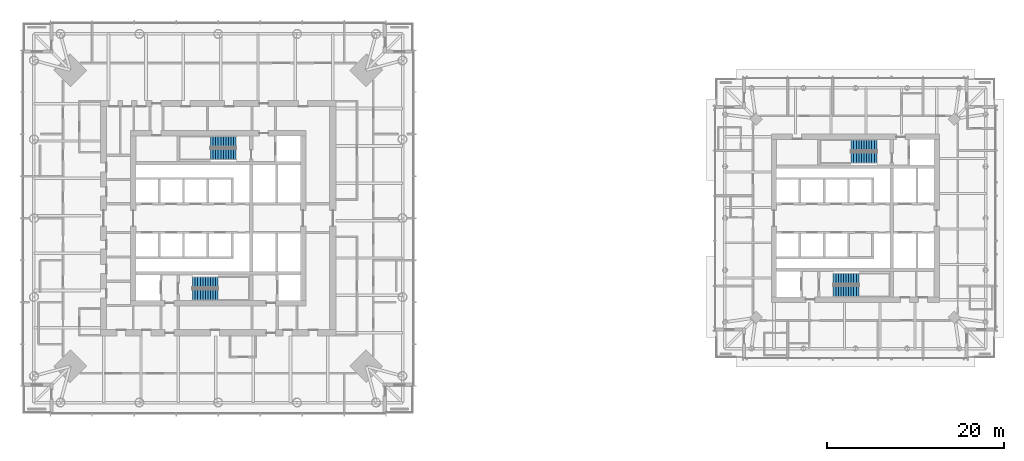
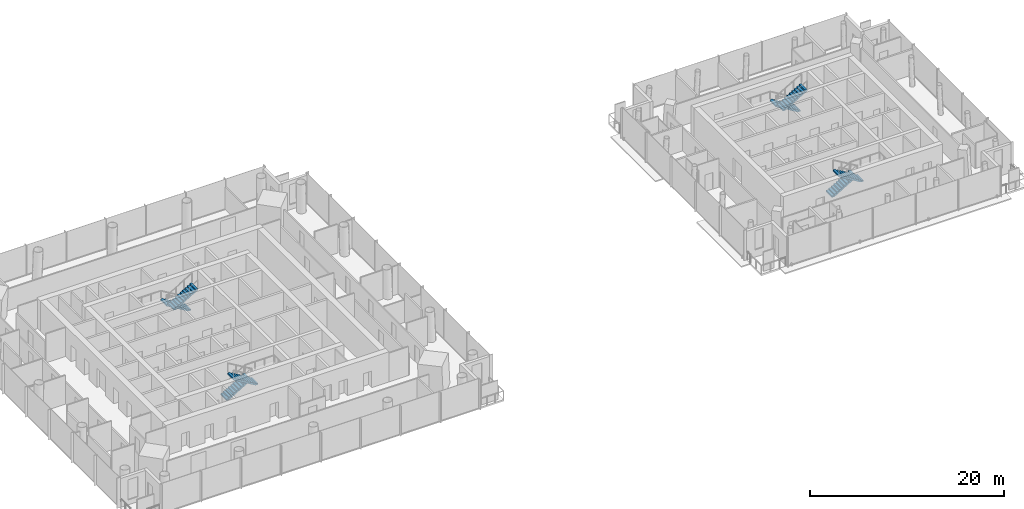
# One storey, part 15 of 19: 8 stair flights, 4 elements without a shape of their own.
"""IFC4 building model written with IfcOpenShell, lengths in metres."""

from ifc_helpers import new_model, si_unit, direction, frame, origin, place, context, subcontext, project, spatial, polyline, outline, extrude, material, type_object, element, aggregate, save


model = new_model("IFC4")

# Units and contexts
model_context = context("Model", 3, precision=1e-05, world=origin(), true_north=direction((0.0, 1.0)))
body_context = subcontext(model_context, "Body", "Model", "MODEL_VIEW")
ifc_project = project(units=[si_unit("LENGTHUNIT", "METRE"), si_unit("AREAUNIT", "SQUARE_METRE"), si_unit("VOLUMEUNIT", "CUBIC_METRE"), si_unit("PLANEANGLEUNIT", "RADIAN"), si_unit("MASSUNIT", "GRAM", prefix="KILO")], contexts=[model_context])

# Site, building, storey
site_placement = place(None, origin())
site = spatial("IfcSite", under=ifc_project, at=site_placement, CompositionType="ELEMENT")
building_placement = place(site_placement, origin())
building = spatial("IfcBuilding", under=site, at=building_placement, Name="Ostroluk Exchange", CompositionType="ELEMENT")
storey_placement = place(building_placement, frame((0.0, 0.0, 119.800048828125)))
storey = spatial("IfcBuildingStorey", under=building, at=storey_placement, Name="L30", CompositionType="ELEMENT", Elevation=119.800048828125)

# Stair, stair flights
ifc_material_1 = material(Name="Concrete C30/37", Category="concrete")
stair_type = type_object("IfcStairType", Name="Exit stair half turn 3800", PredefinedType="HALF_TURN_STAIR", material=ifc_material_1)
stair_1_placement = place(storey_placement, origin())
stair_1 = element("IfcStair", 1, at=stair_1_placement, inside=storey, type_object=stair_type, Name="Stair T1-S1 L30", PredefinedType="HALF_TURN_STAIR")
ifc_material_2 = material(Name="Concrete C30/37", Category="concrete")
stair_flight_type = type_object("IfcStairFlightType", Name="Stair flight 11 risers 172.7 x 290", PredefinedType="STRAIGHT", material=ifc_material_2)
stair_flight_1_placement = place(storey_placement, frame((42.10009765625, 38.77490234375, 0.0), z_axis=(0.0, 0.0, 1.0), x_axis=(1.0, 0.0, 0.0)))
stair_flight_1 = element("IfcStairFlight", 2, at=stair_flight_1_placement, type_object=stair_flight_type, Name="T1-S1 flight 1", NumberOfRisers=11, NumberOfTreads=10, PredefinedType="STRAIGHT", RiserHeight=0.172727273, TreadLength=0.29, context=body_context, shape_type="SweptSolid", body=[
    extrude(outline(polyline([(0.0, 0.0), (0.0, 0.172607421875), (0.2900390625, 0.172607421875), (0.2900390625, 0.345458984375), (0.580078125, 0.345458984375), (0.580078125, 0.51806640625), (0.8701171875, 0.51806640625), (0.8701171875, 0.69091796875), (1.159912109375, 0.69091796875), (1.159912109375, 0.863525390625), (1.449951171875, 0.863525390625), (1.449951171875, 1.036376953125), (1.739990234375, 1.036376953125), (1.739990234375, 1.208984375), (2.030029296875, 1.208984375), (2.030029296875, 1.3818359375), (2.320068359375, 1.3818359375), (2.320068359375, 1.554443359375), (2.610107421875, 1.554443359375), (2.610107421875, 1.727294921875), (2.89990234375, 1.727294921875), (2.89990234375, 1.89990234375), (2.89990234375, 1.552734375), (0.29296875, 0.0), (0.0, 0.0)])), frame((0.0, 0.625, 0.0), z_axis=(0.0, -1.0, 0.0), x_axis=(1.0, 0.0, 0.0)), (0.0, 0.0, 1.0), 1.25),
])
stair_flight_2_placement = place(storey_placement, frame((45.0, 37.324951171875, 1.89990234375), z_axis=(0.0, 0.0, 1.0), x_axis=(-1.0, 0.0, 0.0)))
stair_flight_2 = element("IfcStairFlight", 3, at=stair_flight_2_placement, type_object=stair_flight_type, Name="T1-S1 flight 2", NumberOfRisers=11, NumberOfTreads=10, PredefinedType="STRAIGHT", RiserHeight=0.172727273, TreadLength=0.29, context=body_context, shape_type="SweptSolid", body=[
    extrude(outline(polyline([(0.0, 0.0), (0.0, 0.172607421875), (0.2900390625, 0.172607421875), (0.2900390625, 0.345458984375), (0.580078125, 0.345458984375), (0.580078125, 0.51806640625), (0.8701171875, 0.51806640625), (0.8701171875, 0.69091796875), (1.159912109375, 0.69091796875), (1.159912109375, 0.863525390625), (1.449951171875, 0.863525390625), (1.449951171875, 1.036376953125), (1.739990234375, 1.036376953125), (1.739990234375, 1.208984375), (2.030029296875, 1.208984375), (2.030029296875, 1.3818359375), (2.320068359375, 1.3818359375), (2.320068359375, 1.554443359375), (2.610107421875, 1.554443359375), (2.610107421875, 1.727294921875), (2.89990234375, 1.727294921875), (2.89990234375, 1.89990234375), (2.89990234375, 1.552734375), (0.29296875, 0.0), (0.0, 0.0)])), frame((0.0, 0.625, 0.0), z_axis=(0.0, -1.0, 0.0), x_axis=(1.0, 0.0, 0.0)), (0.0, 0.0, 1.0), 1.25),
])
aggregate(stair_1, [stair_flight_1, stair_flight_2])

stair_2_placement = place(storey_placement, origin())
stair_2 = element("IfcStair", 4, at=stair_2_placement, inside=storey, type_object=stair_type, Name="Stair T1-S2 L30", PredefinedType="HALF_TURN_STAIR")
stair_flight_3_placement = place(storey_placement, frame((47.030029296875, 54.675048828125, 0.0), z_axis=(0.0, 0.0, 1.0), x_axis=(-1.0, 0.0, 0.0)))
stair_flight_3 = element("IfcStairFlight", 5, at=stair_flight_3_placement, type_object=stair_flight_type, Name="T1-S2 flight 1", NumberOfRisers=11, NumberOfTreads=10, PredefinedType="STRAIGHT", RiserHeight=0.172727273, TreadLength=0.29, context=body_context, shape_type="SweptSolid", body=[
    extrude(outline(polyline([(0.0, 0.0), (0.0, 0.172607421875), (0.2900390625, 0.172607421875), (0.2900390625, 0.345458984375), (0.580078125, 0.345458984375), (0.580078125, 0.51806640625), (0.8701171875, 0.51806640625), (0.8701171875, 0.69091796875), (1.159912109375, 0.69091796875), (1.159912109375, 0.863525390625), (1.449951171875, 0.863525390625), (1.449951171875, 1.036376953125), (1.739990234375, 1.036376953125), (1.739990234375, 1.208984375), (2.030029296875, 1.208984375), (2.030029296875, 1.3818359375), (2.320068359375, 1.3818359375), (2.320068359375, 1.554443359375), (2.610107421875, 1.554443359375), (2.610107421875, 1.727294921875), (2.89990234375, 1.727294921875), (2.89990234375, 1.89990234375), (2.89990234375, 1.552734375), (0.29296875, 0.0), (0.0, 0.0)])), frame((0.0, 0.625, 0.0), z_axis=(0.0, -1.0, 0.0), x_axis=(1.0, 0.0, 0.0)), (0.0, 0.0, 1.0), 1.25),
])
stair_flight_4_placement = place(storey_placement, frame((44.1298828125, 53.22509765625, 1.89990234375), z_axis=(0.0, 0.0, 1.0), x_axis=(1.0, 0.0, 0.0)))
stair_flight_4 = element("IfcStairFlight", 6, at=stair_flight_4_placement, type_object=stair_flight_type, Name="T1-S2 flight 2", NumberOfRisers=11, NumberOfTreads=10, PredefinedType="STRAIGHT", RiserHeight=0.172727273, TreadLength=0.29, context=body_context, shape_type="SweptSolid", body=[
    extrude(outline(polyline([(0.0, 0.0), (0.0, 0.172607421875), (0.2900390625, 0.172607421875), (0.2900390625, 0.345458984375), (0.580078125, 0.345458984375), (0.580078125, 0.51806640625), (0.8701171875, 0.51806640625), (0.8701171875, 0.69091796875), (1.159912109375, 0.69091796875), (1.159912109375, 0.863525390625), (1.449951171875, 0.863525390625), (1.449951171875, 1.036376953125), (1.739990234375, 1.036376953125), (1.739990234375, 1.208984375), (2.030029296875, 1.208984375), (2.030029296875, 1.3818359375), (2.320068359375, 1.3818359375), (2.320068359375, 1.554443359375), (2.610107421875, 1.554443359375), (2.610107421875, 1.727294921875), (2.89990234375, 1.727294921875), (2.89990234375, 1.89990234375), (2.89990234375, 1.552734375), (0.29296875, 0.0), (0.0, 0.0)])), frame((0.0, 0.625, 0.0), z_axis=(0.0, -1.0, 0.0), x_axis=(1.0, 0.0, 0.0)), (0.0, 0.0, 1.0), 1.25),
])
aggregate(stair_2, [stair_flight_3, stair_flight_4])

stair_3_placement = place(storey_placement, origin())
stair_3 = element("IfcStair", 7, at=stair_3_placement, inside=storey, type_object=stair_type, Name="Stair T2-S1 L30", PredefinedType="HALF_TURN_STAIR")
stair_flight_5_placement = place(storey_placement, frame((114.5, 39.175048828125, 0.0), z_axis=(0.0, 0.0, 1.0), x_axis=(1.0, 0.0, 0.0)))
stair_flight_5 = element("IfcStairFlight", 8, at=stair_flight_5_placement, type_object=stair_flight_type, Name="T2-S1 flight 1", NumberOfRisers=11, NumberOfTreads=10, PredefinedType="STRAIGHT", RiserHeight=0.172727273, TreadLength=0.29, context=body_context, shape_type="SweptSolid", body=[
    extrude(outline(polyline([(0.0, 0.0), (0.0, 0.172607421875), (0.2900390625, 0.172607421875), (0.2900390625, 0.345458984375), (0.580078125, 0.345458984375), (0.580078125, 0.51806640625), (0.8701171875, 0.51806640625), (0.8701171875, 0.69091796875), (1.159912109375, 0.69091796875), (1.159912109375, 0.863525390625), (1.449951171875, 0.863525390625), (1.449951171875, 1.036376953125), (1.739990234375, 1.036376953125), (1.739990234375, 1.208984375), (2.030029296875, 1.208984375), (2.030029296875, 1.3818359375), (2.320068359375, 1.3818359375), (2.320068359375, 1.554443359375), (2.610107421875, 1.554443359375), (2.610107421875, 1.727294921875), (2.89990234375, 1.727294921875), (2.89990234375, 1.89990234375), (2.89990234375, 1.552734375), (0.29296875, 0.0), (0.0, 0.0)])), frame((0.0, 0.625, 0.0), z_axis=(0.0, -1.0, 0.0), x_axis=(1.0, 0.0, 0.0)), (0.0, 0.0, 1.0), 1.25),
])
stair_flight_6_placement = place(storey_placement, frame((117.39990234375, 37.72509765625, 1.89990234375), z_axis=(0.0, 0.0, 1.0), x_axis=(-1.0, 0.0, 0.0)))
stair_flight_6 = element("IfcStairFlight", 9, at=stair_flight_6_placement, type_object=stair_flight_type, Name="T2-S1 flight 2", NumberOfRisers=11, NumberOfTreads=10, PredefinedType="STRAIGHT", RiserHeight=0.172727273, TreadLength=0.29, context=body_context, shape_type="SweptSolid", body=[
    extrude(outline(polyline([(0.0, 0.0), (0.0, 0.172607421875), (0.2900390625, 0.172607421875), (0.2900390625, 0.345458984375), (0.580078125, 0.345458984375), (0.580078125, 0.51806640625), (0.8701171875, 0.51806640625), (0.8701171875, 0.69091796875), (1.159912109375, 0.69091796875), (1.159912109375, 0.863525390625), (1.449951171875, 0.863525390625), (1.449951171875, 1.036376953125), (1.739990234375, 1.036376953125), (1.739990234375, 1.208984375), (2.030029296875, 1.208984375), (2.030029296875, 1.3818359375), (2.320068359375, 1.3818359375), (2.320068359375, 1.554443359375), (2.610107421875, 1.554443359375), (2.610107421875, 1.727294921875), (2.89990234375, 1.727294921875), (2.89990234375, 1.89990234375), (2.89990234375, 1.552734375), (0.29296875, 0.0), (0.0, 0.0)])), frame((0.0, 0.625, 0.0), z_axis=(0.0, -1.0, 0.0), x_axis=(1.0, 0.0, 0.0)), (0.0, 0.0, 1.0), 1.25),
])
aggregate(stair_3, [stair_flight_5, stair_flight_6])

stair_4_placement = place(storey_placement, origin())
stair_4 = element("IfcStair", 10, at=stair_4_placement, inside=storey, type_object=stair_type, Name="Stair T2-S2 L30", PredefinedType="HALF_TURN_STAIR")
stair_flight_7_placement = place(storey_placement, frame((119.429931640625, 54.27490234375, 0.0), z_axis=(0.0, 0.0, 1.0), x_axis=(-1.0, 0.0, 0.0)))
stair_flight_7 = element("IfcStairFlight", 11, at=stair_flight_7_placement, type_object=stair_flight_type, Name="T2-S2 flight 1", NumberOfRisers=11, NumberOfTreads=10, PredefinedType="STRAIGHT", RiserHeight=0.172727273, TreadLength=0.29, context=body_context, shape_type="SweptSolid", body=[
    extrude(outline(polyline([(0.0, 0.0), (0.0, 0.172607421875), (0.2900390625, 0.172607421875), (0.2900390625, 0.345458984375), (0.580078125, 0.345458984375), (0.580078125, 0.51806640625), (0.8701171875, 0.51806640625), (0.8701171875, 0.69091796875), (1.159912109375, 0.69091796875), (1.159912109375, 0.863525390625), (1.449951171875, 0.863525390625), (1.449951171875, 1.036376953125), (1.739990234375, 1.036376953125), (1.739990234375, 1.208984375), (2.030029296875, 1.208984375), (2.030029296875, 1.3818359375), (2.320068359375, 1.3818359375), (2.320068359375, 1.554443359375), (2.610107421875, 1.554443359375), (2.610107421875, 1.727294921875), (2.89990234375, 1.727294921875), (2.89990234375, 1.89990234375), (2.89990234375, 1.552734375), (0.29296875, 0.0), (0.0, 0.0)])), frame((0.0, 0.625, 0.0), z_axis=(0.0, -1.0, 0.0), x_axis=(1.0, 0.0, 0.0)), (0.0, 0.0, 1.0), 1.25),
])
stair_flight_8_placement = place(storey_placement, frame((116.530029296875, 52.824951171875, 1.89990234375), z_axis=(0.0, 0.0, 1.0), x_axis=(1.0, 0.0, 0.0)))
stair_flight_8 = element("IfcStairFlight", 12, at=stair_flight_8_placement, type_object=stair_flight_type, Name="T2-S2 flight 2", NumberOfRisers=11, NumberOfTreads=10, PredefinedType="STRAIGHT", RiserHeight=0.172727273, TreadLength=0.29, context=body_context, shape_type="SweptSolid", body=[
    extrude(outline(polyline([(0.0, 0.0), (0.0, 0.172607421875), (0.2900390625, 0.172607421875), (0.2900390625, 0.345458984375), (0.580078125, 0.345458984375), (0.580078125, 0.51806640625), (0.8701171875, 0.51806640625), (0.8701171875, 0.69091796875), (1.159912109375, 0.69091796875), (1.159912109375, 0.863525390625), (1.449951171875, 0.863525390625), (1.449951171875, 1.036376953125), (1.739990234375, 1.036376953125), (1.739990234375, 1.208984375), (2.030029296875, 1.208984375), (2.030029296875, 1.3818359375), (2.320068359375, 1.3818359375), (2.320068359375, 1.554443359375), (2.610107421875, 1.554443359375), (2.610107421875, 1.727294921875), (2.89990234375, 1.727294921875), (2.89990234375, 1.89990234375), (2.89990234375, 1.552734375), (0.29296875, 0.0), (0.0, 0.0)])), frame((0.0, 0.625, 0.0), z_axis=(0.0, -1.0, 0.0), x_axis=(1.0, 0.0, 0.0)), (0.0, 0.0, 1.0), 1.25),
])
aggregate(stair_4, [stair_flight_7, stair_flight_8])

save(model, "model.ifc")
